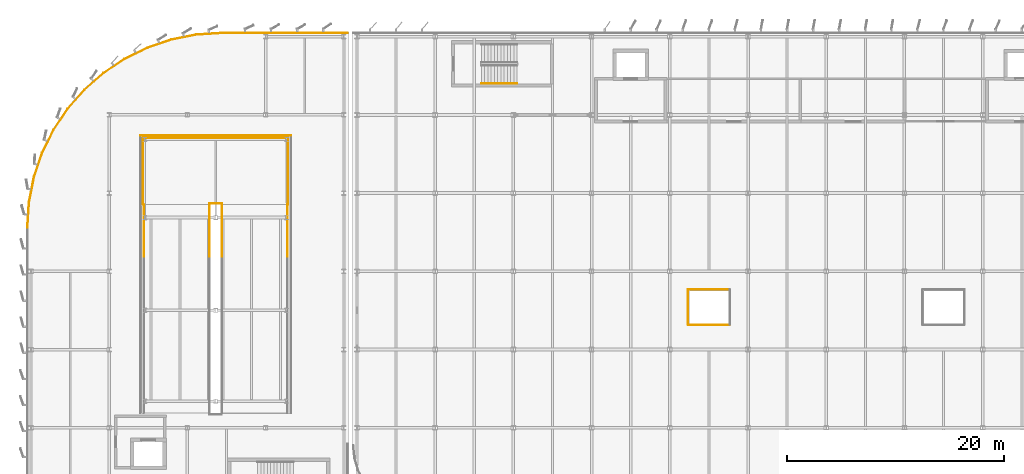
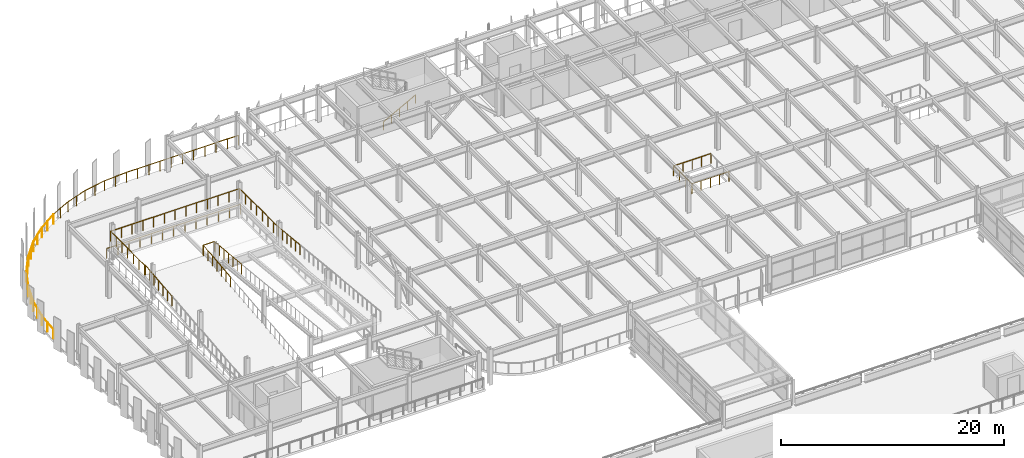
# One storey, part 80 of 93: 26 railings.
"""IFC4 building model written with IfcOpenShell, lengths in metres."""

from ifc_helpers import new_model, si_unit, direction, frame, origin, origin_2d, place, context, subcontext, project, spatial, circle, extrude, material, layer, layer_set, type_object, element, save


model = new_model("IFC4")

# Units and contexts
model_context = context("Model", 3, precision=1e-05, world=origin(), true_north=direction((0.0, 1.0)))
body_context = subcontext(model_context, "Body", "Model", "MODEL_VIEW")
ifc_project = project(units=[si_unit("LENGTHUNIT", "METRE"), si_unit("AREAUNIT", "SQUARE_METRE"), si_unit("VOLUMEUNIT", "CUBIC_METRE"), si_unit("PLANEANGLEUNIT", "RADIAN"), si_unit("MASSUNIT", "GRAM", prefix="KILO")], contexts=[model_context])

# Site, building, storey
site_placement = place(None, origin())
site = spatial("IfcSite", under=ifc_project, at=site_placement, CompositionType="ELEMENT")
building_placement = place(site_placement, origin())
building = spatial("IfcBuilding", under=site, at=building_placement, Name="Vaelcorin Mobility Hub", CompositionType="ELEMENT")
storey_placement = place(building_placement, frame((0.0, 0.0, 5.39990234375)))
storey = spatial("IfcBuildingStorey", under=building, at=storey_placement, Name="L01", CompositionType="ELEMENT", Elevation=5.39990234375)

# Railings
ifc_material_1 = material(Name="Galvanised structural steel ASTM A36", Category="steel")
ifc_layer_1 = layer(ifc_material_1, 0.070068359375)
ifc_layer_set_1 = layer_set([ifc_layer_1], Name="Galvanised structural steel ASTM A36")
railing_type_1 = type_object("IfcRailingType", Name="RL-GUARD-1100", PredefinedType="BALUSTRADE", material=ifc_layer_set_1)
railing_1_placement = place(storey_placement, frame((66.47998046875, 93.47998046875, 0.0)))
element("IfcRailing", 1, at=railing_1_placement, inside=storey, type_object=railing_type_1, Name="L01 Perimeter Guard GR-V4-L01-LW1-01", PredefinedType="BALUSTRADE", context=body_context, shape_type="SweptSolid", body=[
    extrude(circle(Radius=0.02392578125, at=origin_2d()), frame((0.0, 0.0, 1.076171875), z_axis=(1.0, 0.0, 0.0), x_axis=(0.0, 1.0, 0.0)), (0.0, 0.0, 1.0), 3.840087890625),
    extrude(circle(Radius=0.02099609375, at=origin_2d()), origin(), (0.0, 0.0, 1.0), 1.052001953125),
    extrude(circle(Radius=0.02099609375, at=origin_2d()), frame((0.9599609375, 0.0, 0.0)), (0.0, 0.0, 1.0), 1.052001953125),
    extrude(circle(Radius=0.02099609375, at=origin_2d()), frame((1.919921875, 0.0, 0.0)), (0.0, 0.0, 1.0), 1.052001953125),
    extrude(circle(Radius=0.02099609375, at=origin_2d()), frame((2.880126953125, 0.0, 0.0)), (0.0, 0.0, 1.0), 1.052001953125),
    extrude(circle(Radius=0.02099609375, at=origin_2d()), frame((3.840087890625, 0.0, 0.0)), (0.0, 0.0, 1.0), 1.052001953125),
])
railing_2_placement = place(storey_placement, frame((70.320068359375, 96.719970703125, 0.0)))
element("IfcRailing", 2, at=railing_2_placement, inside=storey, type_object=railing_type_1, Name="L01 Perimeter Guard GR-V4-L01-LW1-03", PredefinedType="BALUSTRADE", context=body_context, shape_type="SweptSolid", body=[
    extrude(circle(Radius=0.02392578125, at=origin_2d()), frame((0.0, 0.0, 1.076171875), z_axis=(-1.0, 0.0, 0.0), x_axis=(0.0, -1.0, 0.0)), (0.0, 0.0, 1.0), 3.840087890625),
    extrude(circle(Radius=0.02099609375, at=origin_2d()), origin(), (0.0, 0.0, 1.0), 1.052001953125),
    extrude(circle(Radius=0.02099609375, at=origin_2d()), frame((-0.9599609375, 0.0, 0.0)), (0.0, 0.0, 1.0), 1.052001953125),
    extrude(circle(Radius=0.02099609375, at=origin_2d()), frame((-1.919921875, 0.0, 0.0)), (0.0, 0.0, 1.0), 1.052001953125),
    extrude(circle(Radius=0.02099609375, at=origin_2d()), frame((-2.880126953125, 0.0, 0.0)), (0.0, 0.0, 1.0), 1.052001953125),
    extrude(circle(Radius=0.02099609375, at=origin_2d()), frame((-3.840087890625, 0.0, 0.0)), (0.0, 0.0, 1.0), 1.052001953125),
])
railing_3_placement = place(storey_placement, frame((66.47998046875, 96.719970703125, 0.0)))
element("IfcRailing", 3, at=railing_3_placement, inside=storey, type_object=railing_type_1, Name="L01 Perimeter Guard GR-V4-L01-LW1-04", PredefinedType="BALUSTRADE", context=body_context, shape_type="SweptSolid", body=[
    extrude(circle(Radius=0.02392578125, at=origin_2d()), frame((0.0, 0.0, 1.076171875), z_axis=(0.0, -1.0, 0.0), x_axis=(1.0, 0.0, 0.0)), (0.0, 0.0, 1.0), 3.239990234375),
    extrude(circle(Radius=0.02099609375, at=origin_2d()), origin(), (0.0, 0.0, 1.0), 1.052001953125),
    extrude(circle(Radius=0.02099609375, at=origin_2d()), frame((0.0, -1.080078125, 0.0)), (0.0, 0.0, 1.0), 1.052001953125),
    extrude(circle(Radius=0.02099609375, at=origin_2d()), frame((0.0, -2.159912109375, 0.0)), (0.0, 0.0, 1.0), 1.052001953125),
    extrude(circle(Radius=0.02099609375, at=origin_2d()), frame((0.0, -3.239990234375, 0.0)), (0.0, 0.0, 1.0), 1.052001953125),
])
railing_4_placement = place(storey_placement, frame((16.080078125, 110.919921875, 0.0)))
element("IfcRailing", 4, at=railing_4_placement, inside=storey, type_object=railing_type_1, Name="L01 Perimeter Guard GR-V2W-L01-WELL-02", PredefinedType="BALUSTRADE", context=body_context, shape_type="SweptSolid", body=[
    extrude(circle(Radius=0.02392578125, at=origin_2d()), frame((0.0, 0.0, 1.076171875), z_axis=(1.0, 0.0, 0.0), x_axis=(0.0, 1.0, 0.0)), (0.0, 0.0, 1.0), 13.83984375),
    extrude(circle(Radius=0.02099609375, at=origin_2d()), origin(), (0.0, 0.0, 1.0), 1.052001953125),
    extrude(circle(Radius=0.02099609375, at=origin_2d()), frame((1.1533203125, 0.0, 0.0)), (0.0, 0.0, 1.0), 1.052001953125),
    extrude(circle(Radius=0.02099609375, at=origin_2d()), frame((2.306640625, 0.0, 0.0)), (0.0, 0.0, 1.0), 1.052001953125),
    extrude(circle(Radius=0.02099609375, at=origin_2d()), frame((3.4599609375, 0.0, 0.0)), (0.0, 0.0, 1.0), 1.052001953125),
    extrude(circle(Radius=0.02099609375, at=origin_2d()), frame((4.61328125, 0.0, 0.0)), (0.0, 0.0, 1.0), 1.052001953125),
    extrude(circle(Radius=0.02099609375, at=origin_2d()), frame((5.7666015625, 0.0, 0.0)), (0.0, 0.0, 1.0), 1.052001953125),
    extrude(circle(Radius=0.02099609375, at=origin_2d()), frame((6.919921875, 0.0, 0.0)), (0.0, 0.0, 1.0), 1.052001953125),
    extrude(circle(Radius=0.02099609375, at=origin_2d()), frame((8.0732421875, 0.0, 0.0)), (0.0, 0.0, 1.0), 1.052001953125),
    extrude(circle(Radius=0.02099609375, at=origin_2d()), frame((9.2265625, 0.0, 0.0)), (0.0, 0.0, 1.0), 1.052001953125),
    extrude(circle(Radius=0.02099609375, at=origin_2d()), frame((10.3798828125, 0.0, 0.0)), (0.0, 0.0, 1.0), 1.052001953125),
    extrude(circle(Radius=0.02099609375, at=origin_2d()), frame((11.533203125, 0.0, 0.0)), (0.0, 0.0, 1.0), 1.052001953125),
    extrude(circle(Radius=0.02099609375, at=origin_2d()), frame((12.6865234375, 0.0, 0.0)), (0.0, 0.0, 1.0), 1.052001953125),
    extrude(circle(Radius=0.02099609375, at=origin_2d()), frame((13.83984375, 0.0, 0.0)), (0.0, 0.0, 1.0), 1.052001953125),
])
for number, where, name in (
    (5, (16.3798828125, 99.7451171875, 1.462158203125), "L01 Ramp Guard GR-V2W-L01-FL1-W-04"),
    (6, (22.419921875, 99.7451171875, 1.462158203125), "L01 Ramp Guard GR-V2W-L01-FL1-E-04"),
):
    element("IfcRailing", number, at=place(storey_placement, frame(where)), inside=storey, type_object=railing_type_1, Name=name, PredefinedType="BALUSTRADE", context=body_context, shape_type="SweptSolid", body=[
        extrude(circle(Radius=0.02392578125, at=origin_2d()), frame((0.0, 0.0, 1.076171875), z_axis=(0.0, 0.994860105467, 0.10125892825), x_axis=(-1.0, 0.0, 0.0)), (0.0, 0.0, 1.0), 4.819580078125),
        extrude(circle(Radius=0.02099609375, at=origin_2d()), origin(), (0.0, 0.0, 1.0), 1.052001953125),
        extrude(circle(Radius=0.02099609375, at=origin_2d()), frame((0.0, 0.799072265625, 0.081298828125)), (0.0, 0.0, 1.0), 1.052001953125),
        extrude(circle(Radius=0.02099609375, at=origin_2d()), frame((0.0, 1.598388671875, 0.16259765625)), (0.0, 0.0, 1.0), 1.052001953125),
        extrude(circle(Radius=0.02099609375, at=origin_2d()), frame((0.0, 2.3974609375, 0.244140625)), (0.0, 0.0, 1.0), 1.052001953125),
        extrude(circle(Radius=0.02099609375, at=origin_2d()), frame((0.0, 3.196533203125, 0.325439453125)), (0.0, 0.0, 1.0), 1.052001953125),
        extrude(circle(Radius=0.02099609375, at=origin_2d()), frame((0.0, 3.995849609375, 0.40673828125)), (0.0, 0.0, 1.0), 1.052001953125),
        extrude(circle(Radius=0.02099609375, at=origin_2d()), frame((0.0, 4.794921875, 0.488037109375)), (0.0, 0.0, 1.0), 1.052001953125),
    ])
for number, where, name in (
    (7, (23.580078125, 104.5400390625, 1.9501953125), "L01 Ramp Guard GR-V2W-L01-FL2-W-01"),
    (8, (29.6201171875, 104.5400390625, 1.9501953125), "L01 Ramp Guard GR-V2W-L01-FL2-E-01"),
):
    element("IfcRailing", number, at=place(storey_placement, frame(where)), inside=storey, type_object=railing_type_1, Name=name, PredefinedType="BALUSTRADE", context=body_context, shape_type="SweptSolid", body=[
        extrude(circle(Radius=0.02392578125, at=origin_2d()), frame((0.0, 0.0, 1.076171875), z_axis=(0.0, -0.994865207116, 0.101208792455), x_axis=(1.0, 0.0, 0.0)), (0.0, 0.0, 1.0), 4.819580078125),
        extrude(circle(Radius=0.02099609375, at=origin_2d()), origin(), (0.0, 0.0, 1.0), 1.052001953125),
        extrude(circle(Radius=0.02099609375, at=origin_2d()), frame((0.0, -0.799072265625, 0.081298828125)), (0.0, 0.0, 1.0), 1.052001953125),
        extrude(circle(Radius=0.02099609375, at=origin_2d()), frame((0.0, -1.598388671875, 0.16259765625)), (0.0, 0.0, 1.0), 1.052001953125),
        extrude(circle(Radius=0.02099609375, at=origin_2d()), frame((0.0, -2.3974609375, 0.243896484375)), (0.0, 0.0, 1.0), 1.052001953125),
        extrude(circle(Radius=0.02099609375, at=origin_2d()), frame((0.0, -3.196533203125, 0.3251953125)), (0.0, 0.0, 1.0), 1.052001953125),
        extrude(circle(Radius=0.02099609375, at=origin_2d()), frame((0.0, -3.995849609375, 0.406494140625)), (0.0, 0.0, 1.0), 1.052001953125),
        extrude(circle(Radius=0.02099609375, at=origin_2d()), frame((0.0, -4.794921875, 0.48779296875)), (0.0, 0.0, 1.0), 1.052001953125),
    ])
railing_5_placement = place(storey_placement, frame((16.330078125, 104.56005859375, 1.9501953125)))
element("IfcRailing", 9, at=railing_5_placement, inside=storey, type_object=railing_type_1, Name="L01 Perimeter Guard GR-V2W-L01-LND-01", PredefinedType="BALUSTRADE", context=body_context, shape_type="SweptSolid", body=[
    extrude(circle(Radius=0.02392578125, at=origin_2d()), frame((0.0, 0.0, 1.076171875), z_axis=(0.0, 1.0, 0.0), x_axis=(-1.0, 0.0, 0.0)), (0.0, 0.0, 1.0), 6.10986328125),
    extrude(circle(Radius=0.02099609375, at=origin_2d()), origin(), (0.0, 0.0, 1.0), 1.052001953125),
    extrude(circle(Radius=0.02099609375, at=origin_2d()), frame((0.0, 1.018310546875, 0.0)), (0.0, 0.0, 1.0), 1.052001953125),
    extrude(circle(Radius=0.02099609375, at=origin_2d()), frame((0.0, 2.03662109375, 0.0)), (0.0, 0.0, 1.0), 1.052001953125),
    extrude(circle(Radius=0.02099609375, at=origin_2d()), frame((0.0, 3.054931640625, 0.0)), (0.0, 0.0, 1.0), 1.052001953125),
    extrude(circle(Radius=0.02099609375, at=origin_2d()), frame((0.0, 4.0732421875, 0.0)), (0.0, 0.0, 1.0), 1.052001953125),
    extrude(circle(Radius=0.02099609375, at=origin_2d()), frame((0.0, 5.091552734375, 0.0)), (0.0, 0.0, 1.0), 1.052001953125),
    extrude(circle(Radius=0.02099609375, at=origin_2d()), frame((0.0, 6.10986328125, 0.0)), (0.0, 0.0, 1.0), 1.052001953125),
])
railing_6_placement = place(storey_placement, frame((16.330078125, 110.669921875, 1.9501953125)))
element("IfcRailing", 10, at=railing_6_placement, inside=storey, type_object=railing_type_1, Name="L01 Perimeter Guard GR-V2W-L01-LND-02", PredefinedType="BALUSTRADE", context=body_context, shape_type="SweptSolid", body=[
    extrude(circle(Radius=0.02392578125, at=origin_2d()), frame((0.0, 0.0, 1.076171875), z_axis=(1.0, 0.0, 0.0), x_axis=(0.0, 1.0, 0.0)), (0.0, 0.0, 1.0), 13.33984375),
    extrude(circle(Radius=0.02099609375, at=origin_2d()), origin(), (0.0, 0.0, 1.0), 1.052001953125),
    extrude(circle(Radius=0.02099609375, at=origin_2d()), frame((1.111572265625, 0.0, 0.0)), (0.0, 0.0, 1.0), 1.052001953125),
    extrude(circle(Radius=0.02099609375, at=origin_2d()), frame((2.223388671875, 0.0, 0.0)), (0.0, 0.0, 1.0), 1.052001953125),
    extrude(circle(Radius=0.02099609375, at=origin_2d()), frame((3.3349609375, 0.0, 0.0)), (0.0, 0.0, 1.0), 1.052001953125),
    extrude(circle(Radius=0.02099609375, at=origin_2d()), frame((4.446533203125, 0.0, 0.0)), (0.0, 0.0, 1.0), 1.052001953125),
    extrude(circle(Radius=0.02099609375, at=origin_2d()), frame((5.558349609375, 0.0, 0.0)), (0.0, 0.0, 1.0), 1.052001953125),
    extrude(circle(Radius=0.02099609375, at=origin_2d()), frame((6.669921875, 0.0, 0.0)), (0.0, 0.0, 1.0), 1.052001953125),
    extrude(circle(Radius=0.02099609375, at=origin_2d()), frame((7.781494140625, 0.0, 0.0)), (0.0, 0.0, 1.0), 1.052001953125),
    extrude(circle(Radius=0.02099609375, at=origin_2d()), frame((8.893310546875, 0.0, 0.0)), (0.0, 0.0, 1.0), 1.052001953125),
    extrude(circle(Radius=0.02099609375, at=origin_2d()), frame((10.0048828125, 0.0, 0.0)), (0.0, 0.0, 1.0), 1.052001953125),
    extrude(circle(Radius=0.02099609375, at=origin_2d()), frame((11.116455078125, 0.0, 0.0)), (0.0, 0.0, 1.0), 1.052001953125),
    extrude(circle(Radius=0.02099609375, at=origin_2d()), frame((12.228271484375, 0.0, 0.0)), (0.0, 0.0, 1.0), 1.052001953125),
    extrude(circle(Radius=0.02099609375, at=origin_2d()), frame((13.33984375, 0.0, 0.0)), (0.0, 0.0, 1.0), 1.052001953125),
])
railing_7_placement = place(storey_placement, frame((29.669921875, 110.669921875, 1.9501953125)))
element("IfcRailing", 11, at=railing_7_placement, inside=storey, type_object=railing_type_1, Name="L01 Perimeter Guard GR-V2W-L01-LND-03", PredefinedType="BALUSTRADE", context=body_context, shape_type="SweptSolid", body=[
    extrude(circle(Radius=0.02392578125, at=origin_2d()), frame((0.0, 0.0, 1.076171875), z_axis=(0.0, -1.0, 0.0), x_axis=(1.0, 0.0, 0.0)), (0.0, 0.0, 1.0), 6.10986328125),
    extrude(circle(Radius=0.02099609375, at=origin_2d()), origin(), (0.0, 0.0, 1.0), 1.052001953125),
    extrude(circle(Radius=0.02099609375, at=origin_2d()), frame((0.0, -1.018310546875, 0.0)), (0.0, 0.0, 1.0), 1.052001953125),
    extrude(circle(Radius=0.02099609375, at=origin_2d()), frame((0.0, -2.03662109375, 0.0)), (0.0, 0.0, 1.0), 1.052001953125),
    extrude(circle(Radius=0.02099609375, at=origin_2d()), frame((0.0, -3.054931640625, 0.0)), (0.0, 0.0, 1.0), 1.052001953125),
    extrude(circle(Radius=0.02099609375, at=origin_2d()), frame((0.0, -4.0732421875, 0.0)), (0.0, 0.0, 1.0), 1.052001953125),
    extrude(circle(Radius=0.02099609375, at=origin_2d()), frame((0.0, -5.091552734375, 0.0)), (0.0, 0.0, 1.0), 1.052001953125),
    extrude(circle(Radius=0.02099609375, at=origin_2d()), frame((0.0, -6.10986328125, 0.0)), (0.0, 0.0, 1.0), 1.052001953125),
])
railing_8_placement = place(storey_placement, frame((22.419921875, 104.639892578125, 1.9501953125)))
element("IfcRailing", 12, at=railing_8_placement, inside=storey, type_object=railing_type_1, Name="L01 Perimeter Guard GR-V2W-L01-LND-MED-01", PredefinedType="BALUSTRADE", context=body_context, shape_type="SweptSolid", body=[
    extrude(circle(Radius=0.02392578125, at=origin_2d()), frame((0.0, 0.0, 1.076171875), z_axis=(1.0, 0.0, 0.0), x_axis=(0.0, 1.0, 0.0)), (0.0, 0.0, 1.0), 1.16015625),
    extrude(circle(Radius=0.02099609375, at=origin_2d()), origin(), (0.0, 0.0, 1.0), 1.052001953125),
    extrude(circle(Radius=0.02099609375, at=origin_2d()), frame((1.16015625, 0.0, 0.0)), (0.0, 0.0, 1.0), 1.052001953125),
])
railing_9_placement = place(storey_placement, frame((5.669921875, 102.449951171875, 0.0)))
element("IfcRailing", 13, at=railing_9_placement, inside=storey, type_object=railing_type_1, Name="L01 Perimeter Guard GR-V2W-L01-04", PredefinedType="BALUSTRADE", context=body_context, shape_type="SweptSolid", body=[
    extrude(circle(Radius=0.02392578125, at=origin_2d()), frame((0.0, 0.0, 1.076171875), z_axis=(0.065445169106, 0.99785616691, 0.0), x_axis=(-0.99785616691, 0.065445169106, 0.0)), (0.0, 0.0, 1.0), 2.339111328125),
    extrude(circle(Radius=0.02099609375, at=origin_2d()), origin(), (0.0, 0.0, 1.0), 1.052001953125),
    extrude(circle(Radius=0.02099609375, at=origin_2d()), frame((0.07666015625, 1.1669921875, 0.0)), (0.0, 0.0, 1.0), 1.052001953125),
    extrude(circle(Radius=0.02099609375, at=origin_2d()), frame((0.153076171875, 2.333984375, 0.0)), (0.0, 0.0, 1.0), 1.052001953125),
])
railing_10_placement = place(storey_placement, frame((5.822998046875, 104.783935546875, 0.0)))
element("IfcRailing", 14, at=railing_10_placement, inside=storey, type_object=railing_type_1, Name="L01 Perimeter Guard GR-V2W-L01-05", PredefinedType="BALUSTRADE", context=body_context, shape_type="SweptSolid", body=[
    extrude(circle(Radius=0.02392578125, at=origin_2d()), frame((0.0, 0.0, 1.076171875), z_axis=(0.194991856212, 0.980804861331, 0.0), x_axis=(-0.980804861331, 0.194991856212, 0.0)), (0.0, 0.0, 1.0), 2.3388671875),
    extrude(circle(Radius=0.02099609375, at=origin_2d()), origin(), (0.0, 0.0, 1.0), 1.052001953125),
    extrude(circle(Radius=0.02099609375, at=origin_2d()), frame((0.22802734375, 1.14697265625, 0.0)), (0.0, 0.0, 1.0), 1.052001953125),
    extrude(circle(Radius=0.02099609375, at=origin_2d()), frame((0.4560546875, 2.2939453125, 0.0)), (0.0, 0.0, 1.0), 1.052001953125),
])
railing_11_placement = place(storey_placement, frame((6.279052734375, 107.077880859375, 0.0)))
element("IfcRailing", 15, at=railing_11_placement, inside=storey, type_object=railing_type_1, Name="L01 Perimeter Guard GR-V2W-L01-06", PredefinedType="BALUSTRADE", context=body_context, shape_type="SweptSolid", body=[
    extrude(circle(Radius=0.02392578125, at=origin_2d()), frame((0.0, 0.0, 1.076171875), z_axis=(0.321578893855, 0.946882788431, 0.0), x_axis=(-0.946882788431, 0.321578893855, 0.0)), (0.0, 0.0, 1.0), 2.33837890625),
    extrude(circle(Radius=0.02099609375, at=origin_2d()), origin(), (0.0, 0.0, 1.0), 1.052001953125),
    extrude(circle(Radius=0.02099609375, at=origin_2d()), frame((0.3759765625, 1.10693359375, 0.0)), (0.0, 0.0, 1.0), 1.052001953125),
    extrude(circle(Radius=0.02099609375, at=origin_2d()), frame((0.751953125, 2.214111328125, 0.0)), (0.0, 0.0, 1.0), 1.052001953125),
])
railing_12_placement = place(storey_placement, frame((7.031005859375, 109.2919921875, 0.0)))
element("IfcRailing", 16, at=railing_12_placement, inside=storey, type_object=railing_type_1, Name="L01 Perimeter Guard GR-V2W-L01-07", PredefinedType="BALUSTRADE", context=body_context, shape_type="SweptSolid", body=[
    extrude(circle(Radius=0.02392578125, at=origin_2d()), frame((0.0, 0.0, 1.076171875), z_axis=(0.442070481095, 0.896980317367, 0.0), x_axis=(-0.896980317367, 0.442070481095, 0.0)), (0.0, 0.0, 1.0), 2.3388671875),
    extrude(circle(Radius=0.02099609375, at=origin_2d()), origin(), (0.0, 0.0, 1.0), 1.052001953125),
    extrude(circle(Radius=0.02099609375, at=origin_2d()), frame((0.51708984375, 1.048828125, 0.0)), (0.0, 0.0, 1.0), 1.052001953125),
    extrude(circle(Radius=0.02099609375, at=origin_2d()), frame((1.033935546875, 2.097900390625, 0.0)), (0.0, 0.0, 1.0), 1.052001953125),
])
railing_13_placement = place(storey_placement, frame((8.06494140625, 111.389892578125, 0.0)))
element("IfcRailing", 17, at=railing_13_placement, inside=storey, type_object=railing_type_1, Name="L01 Perimeter Guard GR-V2W-L01-08", PredefinedType="BALUSTRADE", context=body_context, shape_type="SweptSolid", body=[
    extrude(circle(Radius=0.02392578125, at=origin_2d()), frame((0.0, 0.0, 1.076171875), z_axis=(0.555687158809, 0.831391473095, 0.0), x_axis=(-0.831391473095, 0.555687158809, 0.0)), (0.0, 0.0, 1.0), 2.339599609375),
    extrude(circle(Radius=0.02099609375, at=origin_2d()), origin(), (0.0, 0.0, 1.0), 1.052001953125),
    extrude(circle(Radius=0.02099609375, at=origin_2d()), frame((0.64990234375, 0.97265625, 0.0)), (0.0, 0.0, 1.0), 1.052001953125),
    extrude(circle(Radius=0.02099609375, at=origin_2d()), frame((1.300048828125, 1.945068359375, 0.0)), (0.0, 0.0, 1.0), 1.052001953125),
])
railing_14_placement = place(storey_placement, frame((9.364990234375, 113.3349609375, 0.0)))
element("IfcRailing", 18, at=railing_14_placement, inside=storey, type_object=railing_type_1, Name="L01 Perimeter Guard GR-V2W-L01-09", PredefinedType="BALUSTRADE", context=body_context, shape_type="SweptSolid", body=[
    extrude(circle(Radius=0.02392578125, at=origin_2d()), frame((0.0, 0.0, 1.076171875), z_axis=(0.659398483057, 0.751793615657, 0.0), x_axis=(-0.751793615657, 0.659398483057, 0.0)), (0.0, 0.0, 1.0), 2.33837890625),
    extrude(circle(Radius=0.02099609375, at=origin_2d()), origin(), (0.0, 0.0, 1.0), 1.052001953125),
    extrude(circle(Radius=0.02099609375, at=origin_2d()), frame((0.77099609375, 0.87890625, 0.0)), (0.0, 0.0, 1.0), 1.052001953125),
    extrude(circle(Radius=0.02099609375, at=origin_2d()), frame((1.5419921875, 1.758056640625, 0.0)), (0.0, 0.0, 1.0), 1.052001953125),
])
railing_15_placement = place(storey_placement, frame((10.906982421875, 115.093017578125, 0.0)))
element("IfcRailing", 19, at=railing_15_placement, inside=storey, type_object=railing_type_1, Name="L01 Perimeter Guard GR-V2W-L01-10", PredefinedType="BALUSTRADE", context=body_context, shape_type="SweptSolid", body=[
    extrude(circle(Radius=0.02392578125, at=origin_2d()), frame((0.0, 0.0, 1.076171875), z_axis=(0.751793615657, 0.659398483057, 0.0), x_axis=(-0.659398483057, 0.751793615657, 0.0)), (0.0, 0.0, 1.0), 2.33837890625),
    extrude(circle(Radius=0.02099609375, at=origin_2d()), origin(), (0.0, 0.0, 1.0), 1.052001953125),
    extrude(circle(Radius=0.02099609375, at=origin_2d()), frame((0.87890625, 0.77099609375, 0.0)), (0.0, 0.0, 1.0), 1.052001953125),
    extrude(circle(Radius=0.02099609375, at=origin_2d()), frame((1.758056640625, 1.5419921875, 0.0)), (0.0, 0.0, 1.0), 1.052001953125),
])
railing_16_placement = place(storey_placement, frame((12.6650390625, 116.635009765625, 0.0)))
element("IfcRailing", 20, at=railing_16_placement, inside=storey, type_object=railing_type_1, Name="L01 Perimeter Guard GR-V2W-L01-11", PredefinedType="BALUSTRADE", context=body_context, shape_type="SweptSolid", body=[
    extrude(circle(Radius=0.02392578125, at=origin_2d()), frame((0.0, 0.0, 1.076171875), z_axis=(0.831391473095, 0.555687158809, 0.0), x_axis=(-0.555687158809, 0.831391473095, 0.0)), (0.0, 0.0, 1.0), 2.339599609375),
    extrude(circle(Radius=0.02099609375, at=origin_2d()), origin(), (0.0, 0.0, 1.0), 1.052001953125),
    extrude(circle(Radius=0.02099609375, at=origin_2d()), frame((0.97265625, 0.64990234375, 0.0)), (0.0, 0.0, 1.0), 1.052001953125),
    extrude(circle(Radius=0.02099609375, at=origin_2d()), frame((1.945068359375, 1.300048828125, 0.0)), (0.0, 0.0, 1.0), 1.052001953125),
])
railing_17_placement = place(storey_placement, frame((14.610107421875, 117.93505859375, 0.0)))
element("IfcRailing", 21, at=railing_17_placement, inside=storey, type_object=railing_type_1, Name="L01 Perimeter Guard GR-V2W-L01-12", PredefinedType="BALUSTRADE", context=body_context, shape_type="SweptSolid", body=[
    extrude(circle(Radius=0.02392578125, at=origin_2d()), frame((0.0, 0.0, 1.076171875), z_axis=(0.896980317367, 0.442070481095, 0.0), x_axis=(-0.442070481095, 0.896980317367, 0.0)), (0.0, 0.0, 1.0), 2.3388671875),
    extrude(circle(Radius=0.02099609375, at=origin_2d()), origin(), (0.0, 0.0, 1.0), 1.052001953125),
    extrude(circle(Radius=0.02099609375, at=origin_2d()), frame((1.048828125, 0.51708984375, 0.0)), (0.0, 0.0, 1.0), 1.052001953125),
    extrude(circle(Radius=0.02099609375, at=origin_2d()), frame((2.097900390625, 1.033935546875, 0.0)), (0.0, 0.0, 1.0), 1.052001953125),
])
railing_18_placement = place(storey_placement, frame((16.7080078125, 118.968994140625, 0.0)))
element("IfcRailing", 22, at=railing_18_placement, inside=storey, type_object=railing_type_1, Name="L01 Perimeter Guard GR-V2W-L01-13", PredefinedType="BALUSTRADE", context=body_context, shape_type="SweptSolid", body=[
    extrude(circle(Radius=0.02392578125, at=origin_2d()), frame((0.0, 0.0, 1.076171875), z_axis=(0.946882788431, 0.321578893855, 0.0), x_axis=(-0.321578893855, 0.946882788431, 0.0)), (0.0, 0.0, 1.0), 2.33837890625),
    extrude(circle(Radius=0.02099609375, at=origin_2d()), origin(), (0.0, 0.0, 1.0), 1.052001953125),
    extrude(circle(Radius=0.02099609375, at=origin_2d()), frame((1.10693359375, 0.3759765625, 0.0)), (0.0, 0.0, 1.0), 1.052001953125),
    extrude(circle(Radius=0.02099609375, at=origin_2d()), frame((2.214111328125, 0.751953125, 0.0)), (0.0, 0.0, 1.0), 1.052001953125),
])
railing_19_placement = place(storey_placement, frame((18.922119140625, 119.720947265625, 0.0)))
element("IfcRailing", 23, at=railing_19_placement, inside=storey, type_object=railing_type_1, Name="L01 Perimeter Guard GR-V2W-L01-14", PredefinedType="BALUSTRADE", context=body_context, shape_type="SweptSolid", body=[
    extrude(circle(Radius=0.02392578125, at=origin_2d()), frame((0.0, 0.0, 1.076171875), z_axis=(0.980804861331, 0.194991856212, 0.0), x_axis=(-0.194991856212, 0.980804861331, 0.0)), (0.0, 0.0, 1.0), 2.3388671875),
    extrude(circle(Radius=0.02099609375, at=origin_2d()), origin(), (0.0, 0.0, 1.0), 1.052001953125),
    extrude(circle(Radius=0.02099609375, at=origin_2d()), frame((1.14697265625, 0.22802734375, 0.0)), (0.0, 0.0, 1.0), 1.052001953125),
    extrude(circle(Radius=0.02099609375, at=origin_2d()), frame((2.2939453125, 0.4560546875, 0.0)), (0.0, 0.0, 1.0), 1.052001953125),
])
railing_20_placement = place(storey_placement, frame((21.216064453125, 120.177001953125, 0.0)))
element("IfcRailing", 24, at=railing_20_placement, inside=storey, type_object=railing_type_1, Name="L01 Perimeter Guard GR-V2W-L01-15", PredefinedType="BALUSTRADE", context=body_context, shape_type="SweptSolid", body=[
    extrude(circle(Radius=0.02392578125, at=origin_2d()), frame((0.0, 0.0, 1.076171875), z_axis=(0.99785616691, 0.065445169106, 0.0), x_axis=(-0.065445169106, 0.99785616691, 0.0)), (0.0, 0.0, 1.0), 2.339111328125),
    extrude(circle(Radius=0.02099609375, at=origin_2d()), origin(), (0.0, 0.0, 1.0), 1.052001953125),
    extrude(circle(Radius=0.02099609375, at=origin_2d()), frame((1.1669921875, 0.07666015625, 0.0)), (0.0, 0.0, 1.0), 1.052001953125),
    extrude(circle(Radius=0.02099609375, at=origin_2d()), frame((2.333984375, 0.153076171875, 0.0)), (0.0, 0.0, 1.0), 1.052001953125),
])
railing_21_placement = place(storey_placement, frame((23.550048828125, 120.330078125, 0.0)))
element("IfcRailing", 25, at=railing_21_placement, inside=storey, type_object=railing_type_1, Name="L01 Perimeter Guard GR-V2W-L01-16", PredefinedType="BALUSTRADE", context=body_context, shape_type="SweptSolid", body=[
    extrude(circle(Radius=0.02392578125, at=origin_2d()), frame((0.0, 0.0, 1.076171875), z_axis=(1.0, 0.0, 0.0), x_axis=(0.0, 1.0, 0.0)), (0.0, 0.0, 1.0), 11.579833984375),
    extrude(circle(Radius=0.02099609375, at=origin_2d()), origin(), (0.0, 0.0, 1.0), 1.052001953125),
    extrude(circle(Radius=0.02099609375, at=origin_2d()), frame((1.157958984375, 0.0, 0.0)), (0.0, 0.0, 1.0), 1.052001953125),
    extrude(circle(Radius=0.02099609375, at=origin_2d()), frame((2.31591796875, 0.0, 0.0)), (0.0, 0.0, 1.0), 1.052001953125),
    extrude(circle(Radius=0.02099609375, at=origin_2d()), frame((3.473876953125, 0.0, 0.0)), (0.0, 0.0, 1.0), 1.052001953125),
    extrude(circle(Radius=0.02099609375, at=origin_2d()), frame((4.6318359375, 0.0, 0.0)), (0.0, 0.0, 1.0), 1.052001953125),
    extrude(circle(Radius=0.02099609375, at=origin_2d()), frame((5.7900390625, 0.0, 0.0)), (0.0, 0.0, 1.0), 1.052001953125),
    extrude(circle(Radius=0.02099609375, at=origin_2d()), frame((6.947998046875, 0.0, 0.0)), (0.0, 0.0, 1.0), 1.052001953125),
    extrude(circle(Radius=0.02099609375, at=origin_2d()), frame((8.10595703125, 0.0, 0.0)), (0.0, 0.0, 1.0), 1.052001953125),
    extrude(circle(Radius=0.02099609375, at=origin_2d()), frame((9.263916015625, 0.0, 0.0)), (0.0, 0.0, 1.0), 1.052001953125),
    extrude(circle(Radius=0.02099609375, at=origin_2d()), frame((10.421875, 0.0, 0.0)), (0.0, 0.0, 1.0), 1.052001953125),
    extrude(circle(Radius=0.02099609375, at=origin_2d()), frame((11.579833984375, 0.0, 0.0)), (0.0, 0.0, 1.0), 1.052001953125),
])
ifc_material_2 = material(Name="Brushed stainless steel 316L", Category="steel")
ifc_layer_2 = layer(ifc_material_2, 0.048095703125)
ifc_layer_set_2 = layer_set([ifc_layer_2], Name="Brushed stainless steel 316L")
railing_type_2 = type_object("IfcRailingType", Name="RL-STAIR-HR", PredefinedType="HANDRAIL", material=ifc_layer_set_2)
railing_22_placement = place(storey_placement, frame((47.449951171875, 115.699951171875, 0.16259765625)))
element("IfcRailing", 26, at=railing_22_placement, inside=storey, type_object=railing_type_2, Name="L01 ST3 stair handrail 1", PredefinedType="HANDRAIL", context=body_context, shape_type="SweptSolid", body=[
    extrude(circle(Radius=0.02392578125, at=origin_2d()), frame((0.0, 0.0, 0.8759765625), z_axis=(0.879284020681, 0.0, 0.476297817521), x_axis=(0.0, 1.0, 0.0)), (0.0, 0.0, 1.0), 3.753173828125),
    extrude(circle(Radius=0.02099609375, at=origin_2d()), origin(), (0.0, 0.0, 1.0), 0.851806640625),
    extrude(circle(Radius=0.02099609375, at=origin_2d()), frame((0.824951171875, 0.0, 0.44677734375)), (0.0, 0.0, 1.0), 0.851806640625),
    extrude(circle(Radius=0.02099609375, at=origin_2d()), frame((1.64990234375, 0.0, 0.893798828125)), (0.0, 0.0, 1.0), 0.851806640625),
    extrude(circle(Radius=0.02099609375, at=origin_2d()), frame((2.47509765625, 0.0, 1.3408203125)), (0.0, 0.0, 1.0), 0.851806640625),
    extrude(circle(Radius=0.02099609375, at=origin_2d()), frame((3.300048828125, 0.0, 1.78759765625)), (0.0, 0.0, 1.0), 0.851806640625),
])

save(model, "model.ifc")
